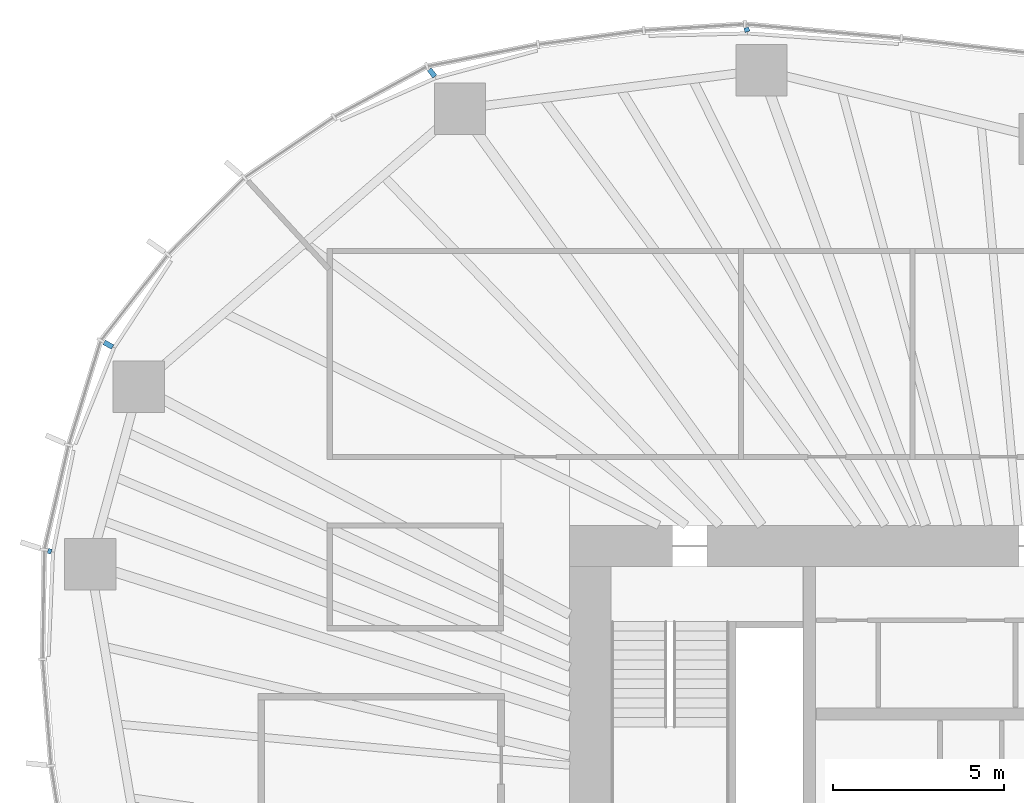
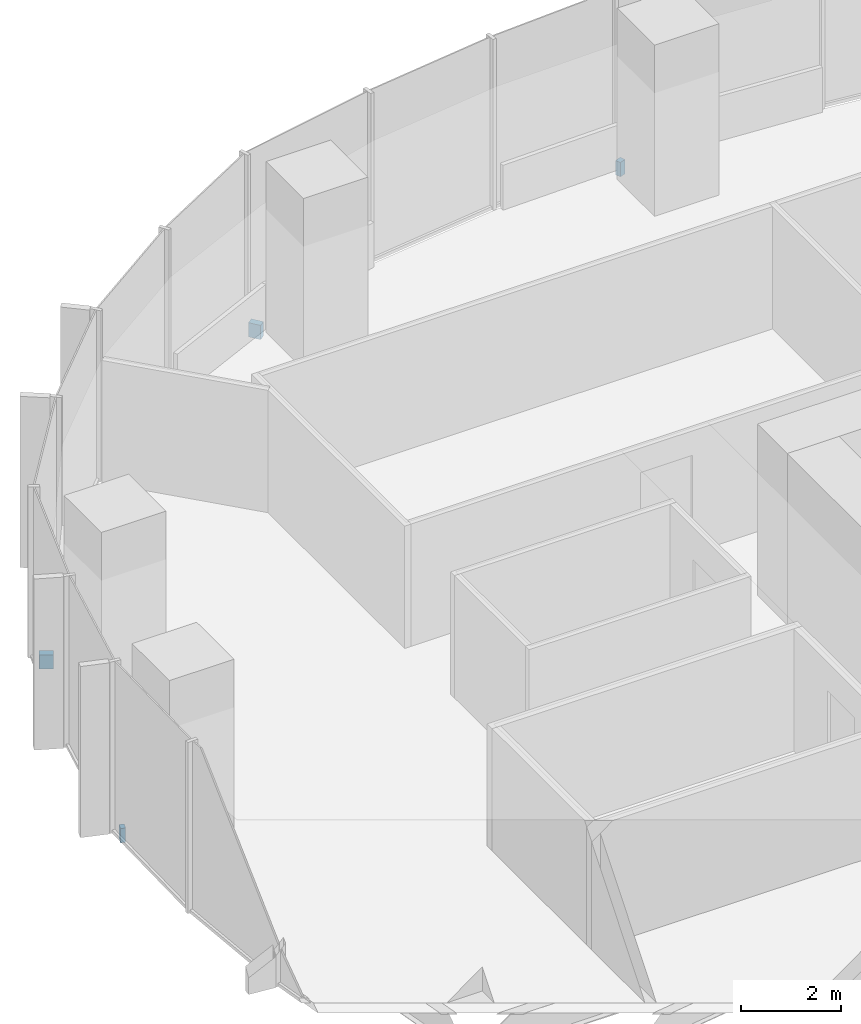
# One storey, part 15 of 18: 4 discrete accessories.
"""IFC4 building model written with IfcOpenShell, lengths in metres."""

from ifc_helpers import new_model, si_unit, direction, frame, origin, origin_2d, place, context, subcontext, project, spatial, rectangle, extrude, material, type_object, element, save


model = new_model("IFC4")

# Units and contexts
model_context = context("Model", 3, precision=1e-05, world=origin(), true_north=direction((0.0, 1.0)))
body_context = subcontext(model_context, "Body", "Model", "MODEL_VIEW")
ifc_project = project(units=[si_unit("LENGTHUNIT", "METRE"), si_unit("AREAUNIT", "SQUARE_METRE"), si_unit("VOLUMEUNIT", "CUBIC_METRE"), si_unit("PLANEANGLEUNIT", "RADIAN"), si_unit("MASSUNIT", "GRAM", prefix="KILO")], contexts=[model_context])

# Site, building, storey
site_placement = place(None, origin())
site = spatial("IfcSite", under=ifc_project, at=site_placement, CompositionType="ELEMENT")
building_placement = place(site_placement, origin())
building = spatial("IfcBuilding", under=site, at=building_placement, Name="Ghaith Harvest Tower", CompositionType="ELEMENT")
storey_placement = place(building_placement, frame((0.0, 0.0, 130.199951171875)))
storey = spatial("IfcBuildingStorey", under=building, at=storey_placement, Name="L27", CompositionType="ELEMENT", Elevation=130.199951171875)

# Discrete accessories
ifc_material_1 = material(Name="Stainless steel grade 1.4401", Category="steel")
discrete_accessory_type_1 = type_object("IfcDiscreteAccessoryType", Name="CURTAIN WALL BRACKET 105", PredefinedType="BRACKET", material=ifc_material_1)
discrete_accessory_1_placement = place(storey_placement, frame((-29.171875, 9.2451171875, -0.25), z_axis=(0.0, 0.0, 1.0), x_axis=(-0.953273219358, 0.302109531884, 0.0)))
element("IfcDiscreteAccessory", 1, at=discrete_accessory_1_placement, inside=storey, type_object=discrete_accessory_type_1, Name="CW-L bracket 1 bay 10 L27", PredefinedType="BRACKET", context=body_context, shape_type="SweptSolid", body=[
    extrude(rectangle(XDim=0.10498046875, YDim=0.14990234375, at=origin_2d()), origin(), (0.0, 0.0, 1.0), 0.35009765625),
])
ifc_material_2 = material(Name="Stainless steel grade 1.4401", Category="steel")
discrete_accessory_type_2 = type_object("IfcDiscreteAccessoryType", Name="CURTAIN WALL BRACKET 125", PredefinedType="BRACKET", material=ifc_material_2)
discrete_accessory_2_placement = place(storey_placement, frame((-8.833984375, 24.45849609375, -0.25), z_axis=(0.0, 0.0, 1.0), x_axis=(-0.339699453402, 0.94053404051, 0.0)))
element("IfcDiscreteAccessory", 2, at=discrete_accessory_2_placement, inside=storey, type_object=discrete_accessory_type_2, Name="CW-L bracket 1 bay 07 L27", PredefinedType="BRACKET", context=body_context, shape_type="SweptSolid", body=[
    extrude(rectangle(XDim=0.125, YDim=0.14990234375, at=origin_2d()), origin(), (0.0, 0.0, 1.0), 0.35009765625),
])
ifc_material_3 = material(Name="Stainless steel grade 1.4401", Category="steel")
discrete_accessory_type_3 = type_object("IfcDiscreteAccessoryType", Name="CURTAIN WALL BRACKET 265", PredefinedType="BRACKET", material=ifc_material_3)
discrete_accessory_3_placement = place(storey_placement, frame((-18.0166015625, 23.197998046875, -0.25), z_axis=(0.0, 0.0, 1.0), x_axis=(-0.613377714422, 0.78978970584, 0.0)))
element("IfcDiscreteAccessory", 3, at=discrete_accessory_3_placement, inside=storey, type_object=discrete_accessory_type_3, Name="CW-L bracket 1 bay 08 L27", PredefinedType="BRACKET", context=body_context, shape_type="SweptSolid", body=[
    extrude(rectangle(XDim=0.264892578125, YDim=0.14990234375, at=origin_2d()), origin(), (0.0, 0.0, 1.0), 0.35009765625),
])
ifc_material_4 = material(Name="Stainless steel grade 1.4401", Category="steel")
discrete_accessory_type_4 = type_object("IfcDiscreteAccessoryType", Name="CURTAIN WALL BRACKET 285", PredefinedType="BRACKET", material=ifc_material_4)
discrete_accessory_4_placement = place(storey_placement, frame((-27.45849609375, 15.271728515625, -0.25), z_axis=(0.0, 0.0, 1.0), x_axis=(-0.873926916005, 0.486057347935, 0.0)))
element("IfcDiscreteAccessory", 4, at=discrete_accessory_4_placement, inside=storey, type_object=discrete_accessory_type_4, Name="CW-L bracket 2 bay 09 L27", PredefinedType="BRACKET", context=body_context, shape_type="SweptSolid", body=[
    extrude(rectangle(XDim=0.284912109375, YDim=0.14990234375, at=origin_2d()), origin(), (0.0, 0.0, 1.0), 0.35009765625),
])

save(model, "model.ifc")
